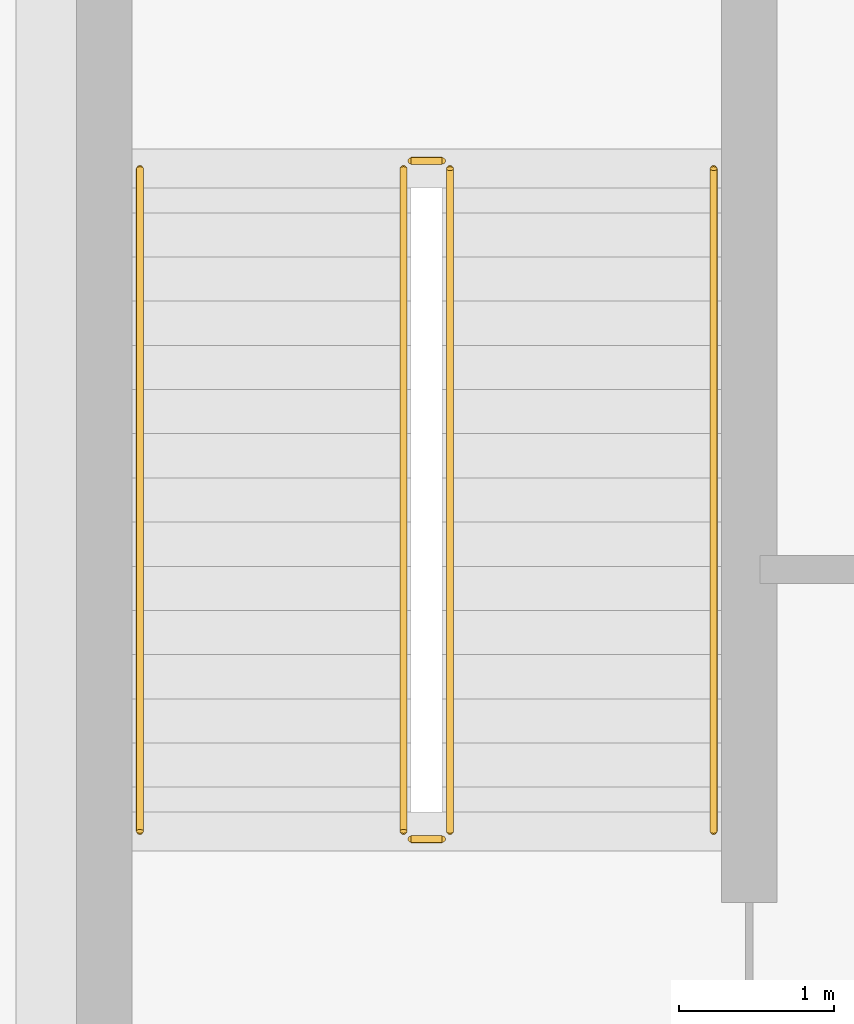
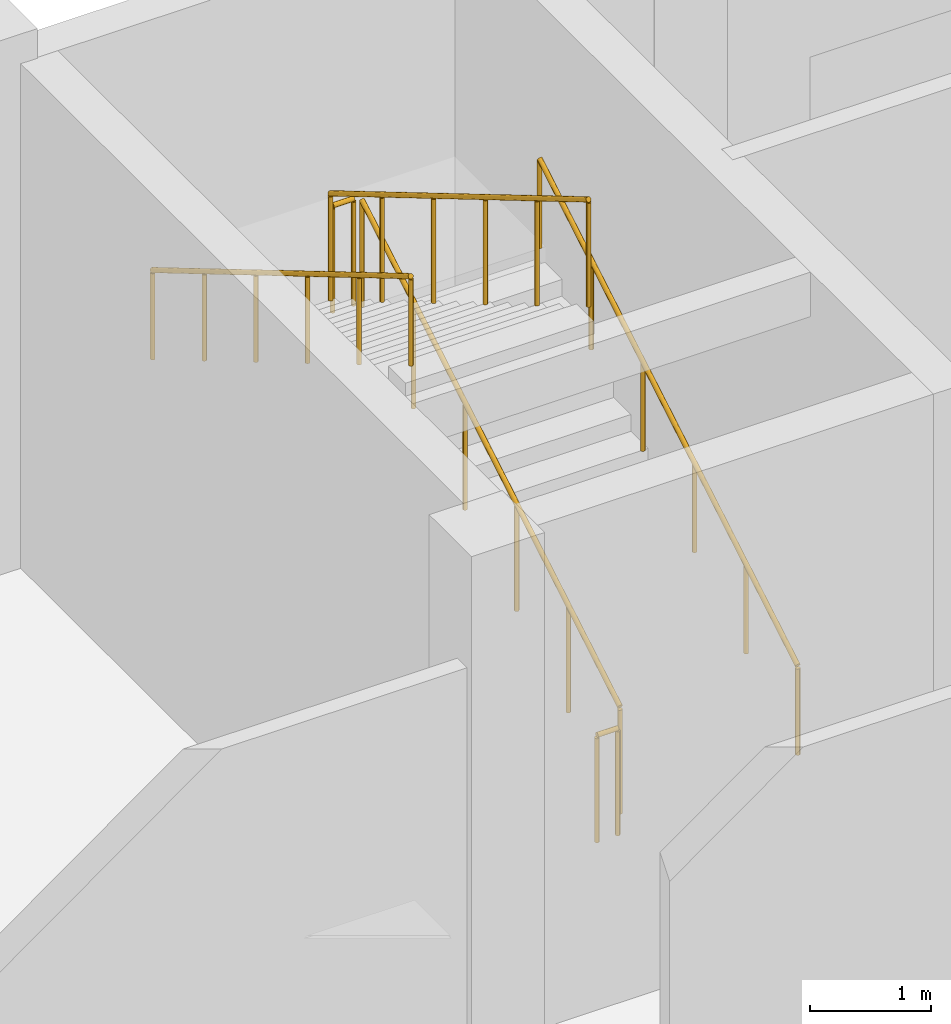
# One storey, part 61 of 64: 6 railings.
"""IFC4 building model written with IfcOpenShell, lengths in metres."""

from ifc_helpers import new_model, si_unit, direction, frame, origin, origin_2d, place, context, subcontext, project, spatial, circle, extrude, material, type_object, element, save


model = new_model("IFC4")

# Units and contexts
model_context = context("Model", 3, precision=1e-05, world=origin(), true_north=direction((0.0, 1.0)))
body_context = subcontext(model_context, "Body", "Model", "MODEL_VIEW")
ifc_project = project(units=[si_unit("LENGTHUNIT", "METRE"), si_unit("AREAUNIT", "SQUARE_METRE"), si_unit("VOLUMEUNIT", "CUBIC_METRE"), si_unit("PLANEANGLEUNIT", "RADIAN"), si_unit("MASSUNIT", "GRAM", prefix="KILO")], contexts=[model_context])

# Site, building, storey
site_placement = place(None, origin())
site = spatial("IfcSite", under=ifc_project, at=site_placement, CompositionType="ELEMENT")
building_placement = place(site_placement, origin())
building = spatial("IfcBuilding", under=site, at=building_placement, Name="Qaldarim Faculty of Natural and Applied Sciences", CompositionType="ELEMENT")
storey_placement = place(building_placement, origin())
storey = spatial("IfcBuildingStorey", under=building, at=storey_placement, Name="L00", CompositionType="ELEMENT", Elevation=0.0)

# Railings
ifc_material = material(Name="Architectural stainless steel 316", Category="steel")
railing_type_1 = type_object("IfcRailingType", Name="GuardBalustrade-1100", PredefinedType="BALUSTRADE", material=ifc_material)
railing_1_placement = place(storey_placement, frame((101.60009765625, 111.5, 0.169921875)))
element("IfcRailing", 1, at=railing_1_placement, inside=storey, type_object=railing_type_1, Name="ST-B1 L00 stair well guard 1", PredefinedType="BALUSTRADE", context=body_context, shape_type="SweptSolid", body=[
    extrude(circle(Radius=0.02392578125, at=origin_2d()), frame((0.0, 0.0, 1.076171875), z_axis=(0.0, 0.860578001716, 0.509318665436), x_axis=(-1.0, 0.0, 0.0)), (0.0, 0.0, 1.0), 4.967529296875),
    extrude(circle(Radius=0.02099609375, at=origin_2d()), origin(), (0.0, 0.0, 1.0), 1.052001953125),
    extrude(circle(Radius=0.02099609375, at=origin_2d()), frame((0.0, 0.85498046875, 0.506103515625)), (0.0, 0.0, 1.0), 1.052001953125),
    extrude(circle(Radius=0.02099609375, at=origin_2d()), frame((0.0, 1.7099609375, 1.011962890625)), (0.0, 0.0, 1.0), 1.052001953125),
    extrude(circle(Radius=0.02099609375, at=origin_2d()), frame((0.0, 2.56494140625, 1.51806640625)), (0.0, 0.0, 1.0), 1.052001953125),
    extrude(circle(Radius=0.02099609375, at=origin_2d()), frame((0.0, 3.419921875, 2.02392578125)), (0.0, 0.0, 1.0), 1.052001953125),
    extrude(circle(Radius=0.02099609375, at=origin_2d()), frame((0.0, 4.27490234375, 2.530029296875)), (0.0, 0.0, 1.0), 1.052001953125),
])
railing_2_placement = place(storey_placement, frame((101.550048828125, 115.824951171875, 2.699951171875)))
element("IfcRailing", 2, at=railing_2_placement, inside=storey, type_object=railing_type_1, Name="ST-B1 L00 stair well guard 2", PredefinedType="BALUSTRADE", context=body_context, shape_type="SweptSolid", body=[
    extrude(circle(Radius=0.02392578125, at=origin_2d()), frame((0.0, 0.0, 1.076171875), z_axis=(-1.0, 0.0, 0.0), x_axis=(0.0, -1.0, 0.0)), (0.0, 0.0, 1.0), 0.199951171875),
    extrude(circle(Radius=0.02099609375, at=origin_2d()), origin(), (0.0, 0.0, 1.0), 1.052001953125),
    extrude(circle(Radius=0.02099609375, at=origin_2d()), frame((-0.199951171875, 0.0, 0.0)), (0.0, 0.0, 1.0), 1.052001953125),
])
railing_3_placement = place(storey_placement, frame((101.300048828125, 115.77490234375, 2.8701171875)))
element("IfcRailing", 3, at=railing_3_placement, inside=storey, type_object=railing_type_1, Name="ST-B1 L00 stair well guard 3", PredefinedType="BALUSTRADE", context=body_context, shape_type="SweptSolid", body=[
    extrude(circle(Radius=0.02392578125, at=origin_2d()), frame((0.0, 0.0, 1.076171875), z_axis=(0.0, -0.860599543382, 0.509282265478), x_axis=(1.0, 0.0, 0.0)), (0.0, 0.0, 1.0), 4.96728515625),
    extrude(circle(Radius=0.02099609375, at=origin_2d()), origin(), (0.0, 0.0, 1.0), 1.052001953125),
    extrude(circle(Radius=0.02099609375, at=origin_2d()), frame((0.0, -0.85498046875, 0.505859375)), (0.0, 0.0, 1.0), 1.052001953125),
    extrude(circle(Radius=0.02099609375, at=origin_2d()), frame((0.0, -1.7099609375, 1.011962890625)), (0.0, 0.0, 1.0), 1.052001953125),
    extrude(circle(Radius=0.02099609375, at=origin_2d()), frame((0.0, -2.56494140625, 1.517822265625)), (0.0, 0.0, 1.0), 1.052001953125),
    extrude(circle(Radius=0.02099609375, at=origin_2d()), frame((0.0, -3.419921875, 2.02392578125)), (0.0, 0.0, 1.0), 1.052001953125),
    extrude(circle(Radius=0.02099609375, at=origin_2d()), frame((0.0, -4.27490234375, 2.52978515625)), (0.0, 0.0, 1.0), 1.052001953125),
])
railing_4_placement = place(storey_placement, frame((101.550048828125, 111.449951171875, 0.0)))
element("IfcRailing", 4, at=railing_4_placement, inside=storey, type_object=railing_type_1, Name="ST-B1 L00 stair well guard 4", PredefinedType="BALUSTRADE", context=body_context, shape_type="SweptSolid", body=[
    extrude(circle(Radius=0.02392578125, at=origin_2d()), frame((0.0, 0.0, 1.076171875), z_axis=(-1.0, 0.0, 0.0), x_axis=(0.0, -1.0, 0.0)), (0.0, 0.0, 1.0), 0.199951171875),
    extrude(circle(Radius=0.02099609375, at=origin_2d()), origin(), (0.0, 0.0, 1.0), 1.052001953125),
    extrude(circle(Radius=0.02099609375, at=origin_2d()), frame((-0.199951171875, 0.0, 0.0)), (0.0, 0.0, 1.0), 1.052001953125),
])
railing_type_2 = type_object("IfcRailingType", Name="StairHandrail-920", PredefinedType="HANDRAIL", material=ifc_material)
railing_5_placement = place(storey_placement, frame((103.300048828125, 111.5, 0.169921875)))
element("IfcRailing", 5, at=railing_5_placement, inside=storey, type_object=railing_type_2, Name="ST-B1 L00 stair handrail 1", PredefinedType="HANDRAIL", context=body_context, shape_type="SweptSolid", body=[
    extrude(circle(Radius=0.02392578125, at=origin_2d()), frame((0.0, 0.0, 0.89599609375), z_axis=(0.0, 0.860578001716, 0.509318665436), x_axis=(-1.0, 0.0, 0.0)), (0.0, 0.0, 1.0), 4.967529296875),
    extrude(circle(Radius=0.02099609375, at=origin_2d()), origin(), (0.0, 0.0, 1.0), 0.871826171875),
    extrude(circle(Radius=0.02099609375, at=origin_2d()), frame((0.0, 0.85498046875, 0.506103515625)), (0.0, 0.0, 1.0), 0.871826171875),
    extrude(circle(Radius=0.02099609375, at=origin_2d()), frame((0.0, 1.7099609375, 1.011962890625)), (0.0, 0.0, 1.0), 0.871826171875),
    extrude(circle(Radius=0.02099609375, at=origin_2d()), frame((0.0, 2.56494140625, 1.51806640625)), (0.0, 0.0, 1.0), 0.871826171875),
    extrude(circle(Radius=0.02099609375, at=origin_2d()), frame((0.0, 3.419921875, 2.02392578125)), (0.0, 0.0, 1.0), 0.871826171875),
    extrude(circle(Radius=0.02099609375, at=origin_2d()), frame((0.0, 4.27490234375, 2.530029296875)), (0.0, 0.0, 1.0), 0.871826171875),
])
railing_6_placement = place(storey_placement, frame((99.60009765625, 115.77490234375, 2.8701171875)))
element("IfcRailing", 6, at=railing_6_placement, inside=storey, type_object=railing_type_2, Name="ST-B1 L00 stair handrail 2", PredefinedType="HANDRAIL", context=body_context, shape_type="SweptSolid", body=[
    extrude(circle(Radius=0.02392578125, at=origin_2d()), frame((0.0, 0.0, 0.89599609375), z_axis=(0.0, -0.860599543382, 0.509282265478), x_axis=(1.0, 0.0, 0.0)), (0.0, 0.0, 1.0), 4.96728515625),
    extrude(circle(Radius=0.02099609375, at=origin_2d()), origin(), (0.0, 0.0, 1.0), 0.871826171875),
    extrude(circle(Radius=0.02099609375, at=origin_2d()), frame((0.0, -0.85498046875, 0.505859375)), (0.0, 0.0, 1.0), 0.871826171875),
    extrude(circle(Radius=0.02099609375, at=origin_2d()), frame((0.0, -1.7099609375, 1.011962890625)), (0.0, 0.0, 1.0), 0.871826171875),
    extrude(circle(Radius=0.02099609375, at=origin_2d()), frame((0.0, -2.56494140625, 1.517822265625)), (0.0, 0.0, 1.0), 0.871826171875),
    extrude(circle(Radius=0.02099609375, at=origin_2d()), frame((0.0, -3.419921875, 2.02392578125)), (0.0, 0.0, 1.0), 0.871826171875),
    extrude(circle(Radius=0.02099609375, at=origin_2d()), frame((0.0, -4.27490234375, 2.52978515625)), (0.0, 0.0, 1.0), 0.871826171875),
])

save(model, "model.ifc")
